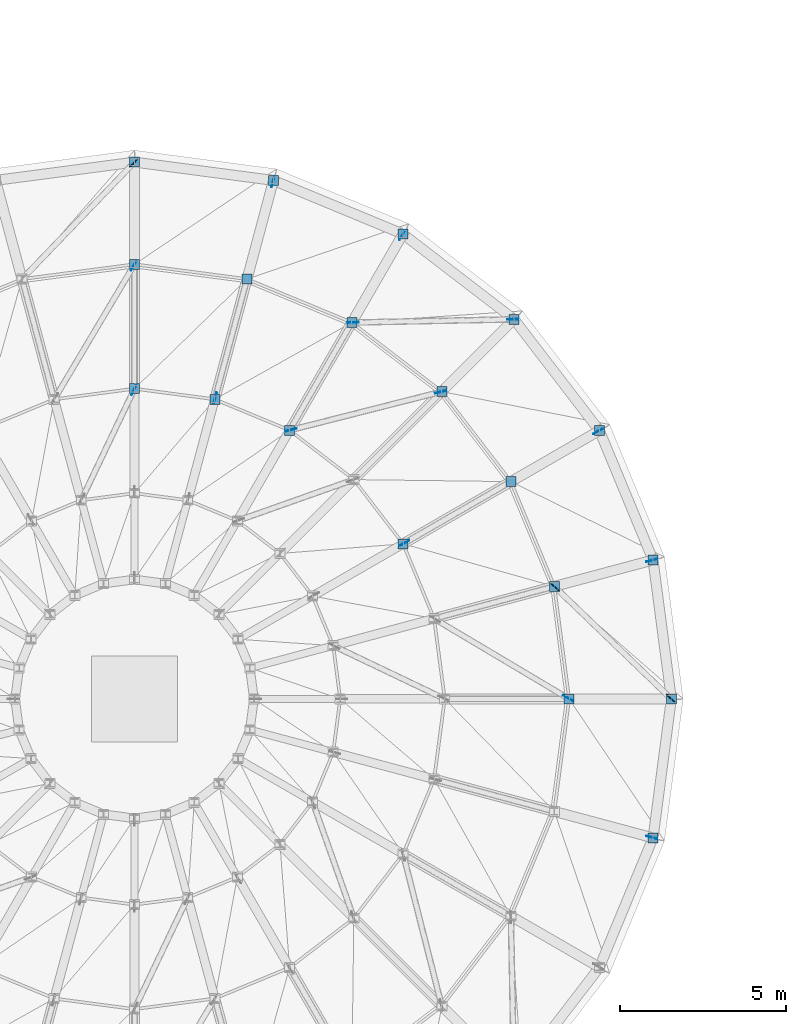
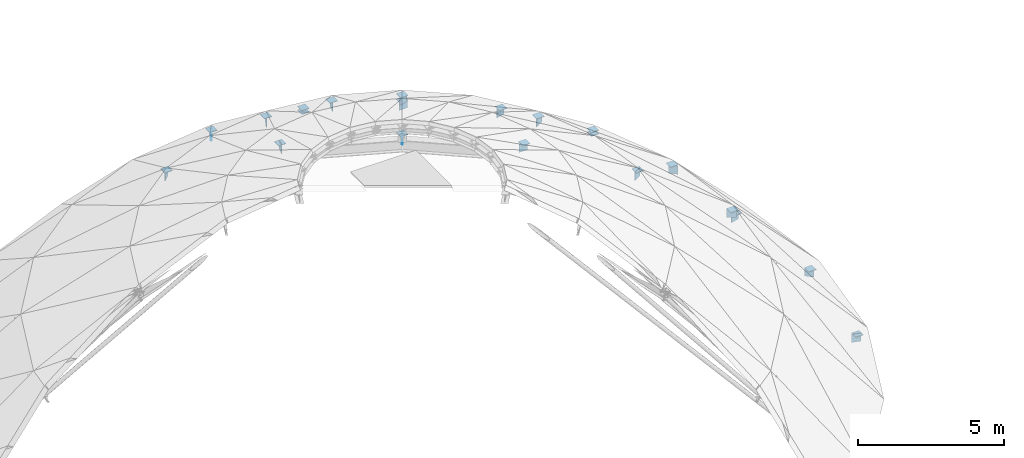
# One storey, part 18 of 19: 38 discrete accessories.
"""IFC4 building model written with IfcOpenShell, lengths in metres."""

from ifc_helpers import new_model, si_unit, direction, frame, origin, origin_2d, place, context, subcontext, project, spatial, rectangle, extrude, material, type_object, element, save


model = new_model("IFC4")

# Units and contexts
model_context = context("Model", 3, precision=1e-05, world=origin(), true_north=direction((0.0, 1.0)))
body_context = subcontext(model_context, "Body", "Model", "MODEL_VIEW")
ifc_project = project(units=[si_unit("LENGTHUNIT", "METRE"), si_unit("AREAUNIT", "SQUARE_METRE"), si_unit("VOLUMEUNIT", "CUBIC_METRE"), si_unit("PLANEANGLEUNIT", "RADIAN"), si_unit("MASSUNIT", "GRAM", prefix="KILO")], contexts=[model_context])

# Site, building, storey
site_placement = place(None, origin())
site = spatial("IfcSite", under=ifc_project, at=site_placement, CompositionType="ELEMENT")
building_placement = place(site_placement, origin())
building = spatial("IfcBuilding", under=site, at=building_placement, Name="Montecoro Central Library", CompositionType="ELEMENT")
storey_placement = place(building_placement, frame((0.0, 0.0, 25.5)))
storey = spatial("IfcBuildingStorey", under=building, at=storey_placement, Name="ROOF", CompositionType="ELEMENT", Elevation=25.5)

# Discrete accessories
ifc_material = material(Name="Steel S355", Category="steel")
discrete_accessory_type = type_object("IfcDiscreteAccessoryType", Name="GUSSET-PLT-01", PredefinedType="BRACKET", material=ifc_material)
for number, where, z_axis, x_axis, name in (
    (1, (107.7509765625, 35.427978515625, -8.2998046875), (0.0, 0.0, 1.0), (-0.720793110676, 0.69315026625, 0.0), "V1-DOME-BR-B1-S1-GPA"),
    (2, (104.282958984375, 38.762939453125, -4.7998046875), (0.0, 0.0, 1.0), (-0.720793110676, 0.69315026625, 0.0), "V1-DOME-BR-B1-S1-GPB"),
    (3, (104.6640625, 35.422119140625, -4.744140625), (0.0, 0.0, 1.0), (-0.859406411501, 0.511293086077, 0.0), "V1-DOME-BR-B1-S2-GPA"),
    (4, (103.0009765625, 46.840087890625, -8.2998046875), (0.0, 0.0, 1.0), (-0.999805523312, -0.019720942027, 0.0), "V1-DOME-BR-B2-S1-GPA"),
    (5, (98.18994140625, 46.74609375, -4.7998046875), (0.0, 0.0, 1.0), (-0.999805523312, -0.019720942027, 0.0), "V1-DOME-BR-B2-S1-GPB"),
    (6, (100.822021484375, 44.653076171875, -4.744140625), (0.0, 0.0, 1.0), (-0.96918793309, -0.246322451985, 0.0), "V1-DOME-BR-B2-S2-GPA"),
    (7, (96.31591796875, 43.507080078125, -1.94580078125), (0.0, 0.0, 1.0), (-0.96918793309, -0.246322451985, 0.0), "V1-DOME-BR-B2-S2-GPB"),
    (8, (91.572021484375, 51.551025390625, -8.2998046875), (0.0, 0.0, 1.0), (-0.69315026625, -0.720793110676, 0.0), "V1-DOME-BR-B3-S1-GPA"),
    (9, (91.577880859375, 48.464111328125, -4.744140625), (0.0, 0.0, 1.0), (-0.511293086077, -0.859406411501, 0.0), "V1-DOME-BR-B3-S2-GPA"),
    (10, (91.5810546875, 44.7099609375, -1.89794921875), (0.0, 0.0, 1.0), (-0.430826132274, -0.902434952642, 0.0), "V1-DOME-BR-B3-S3-GPA"),
    (11, (107.18701171875, 39.575927734375, -8.2890625), (0.0, 0.0, 1.0), (-0.965925826289, -0.258819045103, 0.0), "V1-DOME-SPK-R2-02-GPA"),
    (12, (105.573974609375, 43.468017578125, -8.2890625), (0.0, 0.0, 1.0), (-0.865938124132, -0.500151142331, 0.0), "V1-DOME-SPK-R2-03-GPA"),
    (13, (99.735107421875, 40.096923828125, -1.9609375), (0.0, 0.0, 1.0), (-0.865938124132, -0.500151142331, 0.0), "V1-DOME-SPK-R2-03-GPB"),
    (14, (99.66796875, 49.3740234375, -8.2890625), (0.0, 0.0, 1.0), (-0.500151142331, -0.865938124132, 0.0), "V1-DOME-SPK-R2-05-GPA"),
    (15, (95.77587890625, 50.987060546875, -8.2890625), (0.0, 0.0, 1.0), (-0.258819045103, -0.965925826289, 0.0), "V1-DOME-SPK-R2-06-GPA"),
    (16, (94.031982421875, 44.472900390625, -1.9609375), (0.0, 0.0, 1.0), (-0.258819045103, -0.965925826289, 0.0), "V1-DOME-SPK-R2-06-GPB"),
    (17, (107.18701171875, 31.22412109375, -8.2890625), (0.0, 0.0, 1.0), (-0.965925826289, 0.258819045103, 0.0), "V1-DOME-SPK-R2-24-GPA"),
):
    element("IfcDiscreteAccessory", number, at=place(storey_placement, frame(where, z_axis=z_axis, x_axis=x_axis)), inside=storey, type_object=discrete_accessory_type, Name=name, PredefinedType="BRACKET", context=body_context, shape_type="SweptSolid", body=[
        extrude(rectangle(XDim=0.340087890625, YDim=0.02392578125, at=origin_2d()), origin(), (0.0, 0.0, 1.0), 0.340087890625),
    ])
for number, where, z_axis, x_axis, name in (
    (18, (107.780029296875, 35.39990234375, -7.98193359375), (0.0, 0.0, 1.0), (1.0, 0.0, 0.0), "V1-DOME-STOOL-R0-01-GPB"),
    (19, (107.22900390625, 39.587890625, -7.98193359375), (0.0, 0.0, 1.0), (1.0, 0.0, 0.0), "V1-DOME-STOOL-R0-02-GPB"),
    (20, (105.612060546875, 43.489990234375, -7.98193359375), (0.0, 0.0, 1.0), (1.0, 0.0, 0.0), "V1-DOME-STOOL-R0-03-GPB"),
    (21, (103.041015625, 46.841064453125, -7.98193359375), (0.0, 0.0, 1.0), (1.0, 0.0, 0.0), "V1-DOME-STOOL-R0-04-GPB"),
    (22, (99.68994140625, 49.412109375, -7.98193359375), (0.0, 0.0, 1.0), (1.0, 0.0, 0.0), "V1-DOME-STOOL-R0-05-GPB"),
    (23, (95.7880859375, 51.029052734375, -7.98193359375), (0.0, 0.0, 1.0), (1.0, 0.0, 0.0), "V1-DOME-STOOL-R0-06-GPB"),
    (24, (91.60009765625, 51.580078125, -7.98193359375), (0.0, 0.0, 1.0), (1.0, 0.0, 0.0), "V1-DOME-STOOL-R0-07-GPB"),
    (25, (107.22900390625, 31.2119140625, -7.98193359375), (0.0, 0.0, 1.0), (1.0, 0.0, 0.0), "V1-DOME-STOOL-R0-24-GPB"),
    (26, (104.699951171875, 35.39990234375, -4.421875), (0.0, 0.0, 1.0), (1.0, 0.0, 0.0), "V1-DOME-STOOL-R1-01-GPB"),
    (27, (104.25390625, 38.791015625, -4.421875), (0.0, 0.0, 1.0), (1.0, 0.0, 0.0), "V1-DOME-STOOL-R1-02-GPB"),
    (28, (102.945068359375, 41.949951171875, -4.572021484375), (0.0, 0.0, 1.0), (1.0, 0.0, 0.0), "V1-DOME-STOOL-R1-03-GPA"),
    (29, (102.945068359375, 41.949951171875, -4.421875), (0.0, 0.0, 1.0), (1.0, 0.0, 0.0), "V1-DOME-STOOL-R1-03-GPB"),
    (30, (100.863037109375, 44.6630859375, -4.421875), (0.0, 0.0, 1.0), (1.0, 0.0, 0.0), "V1-DOME-STOOL-R1-04-GPB"),
    (31, (98.14990234375, 46.7451171875, -4.421875), (0.0, 0.0, 1.0), (1.0, 0.0, 0.0), "V1-DOME-STOOL-R1-05-GPB"),
    (32, (94.990966796875, 48.053955078125, -4.572021484375), (0.0, 0.0, 1.0), (1.0, 0.0, 0.0), "V1-DOME-STOOL-R1-06-GPA"),
    (33, (94.990966796875, 48.053955078125, -4.421875), (0.0, 0.0, 1.0), (1.0, 0.0, 0.0), "V1-DOME-STOOL-R1-06-GPB"),
    (34, (91.60009765625, 48.5, -4.421875), (0.0, 0.0, 1.0), (1.0, 0.0, 0.0), "V1-DOME-STOOL-R1-07-GPB"),
    (35, (99.697021484375, 40.074951171875, -1.572021484375), (0.0, 0.0, 1.0), (1.0, 0.0, 0.0), "V1-DOME-STOOL-R2-03-GPB"),
    (36, (96.27490234375, 43.4970703125, -1.572021484375), (0.0, 0.0, 1.0), (1.0, 0.0, 0.0), "V1-DOME-STOOL-R2-05-GPB"),
    (37, (94.02001953125, 44.430908203125, -1.572021484375), (0.0, 0.0, 1.0), (1.0, 0.0, 0.0), "V1-DOME-STOOL-R2-06-GPB"),
    (38, (91.60009765625, 44.75, -1.572021484375), (0.0, 0.0, 1.0), (1.0, 0.0, 0.0), "V1-DOME-STOOL-R2-07-GPB"),
):
    element("IfcDiscreteAccessory", number, at=place(storey_placement, frame(where, z_axis=z_axis, x_axis=x_axis)), inside=storey, type_object=discrete_accessory_type, Name=name, PredefinedType="BRACKET", context=body_context, shape_type="SweptSolid", body=[
        extrude(rectangle(XDim=0.300048828125, YDim=0.300048828125, at=origin_2d()), origin(), (0.0, 0.0, 1.0), 0.02392578125),
    ])

save(model, "model.ifc")
